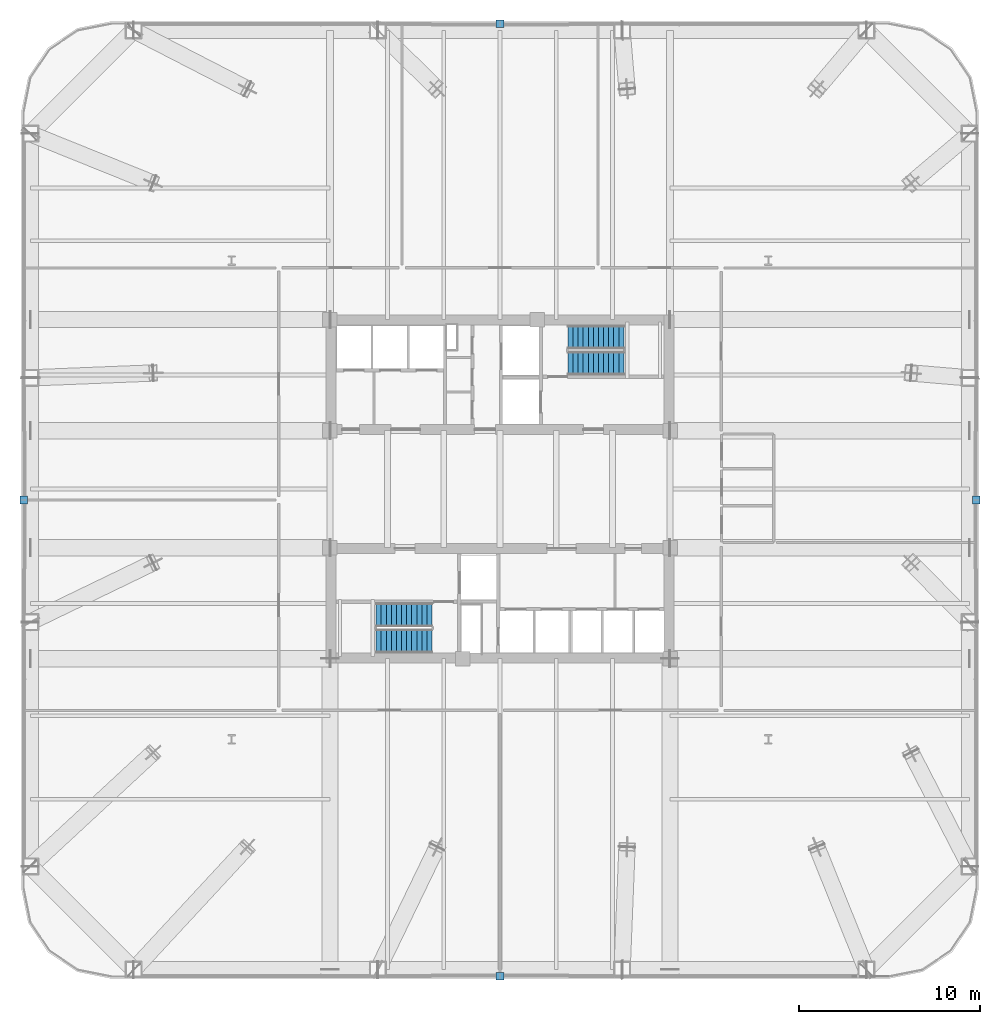
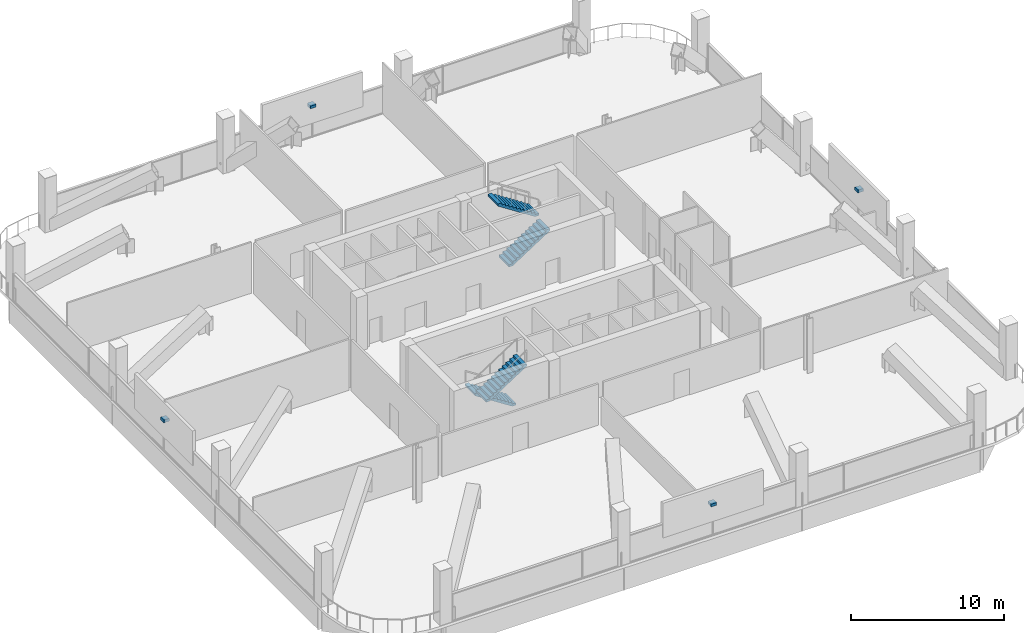
# One storey, part 32 of 38: 4 discrete accessories, 4 stair flights, 2 elements without a shape of their own.
"""IFC4 building model written with IfcOpenShell, lengths in metres."""

from ifc_helpers import new_model, si_unit, direction, frame, origin, origin_2d, place, context, subcontext, project, spatial, polyline, rectangle, outline, extrude, material, type_object, element, aggregate, save


model = new_model("IFC4")

# Units and contexts
model_context = context("Model", 3, precision=1e-05, world=origin(), true_north=direction((0.0, 1.0)))
body_context = subcontext(model_context, "Body", "Model", "MODEL_VIEW")
ifc_project = project(units=[si_unit("LENGTHUNIT", "METRE"), si_unit("AREAUNIT", "SQUARE_METRE"), si_unit("VOLUMEUNIT", "CUBIC_METRE"), si_unit("PLANEANGLEUNIT", "RADIAN"), si_unit("MASSUNIT", "GRAM", prefix="KILO")], contexts=[model_context])

# Site, building, storey
site_placement = place(None, origin())
site = spatial("IfcSite", under=ifc_project, at=site_placement, CompositionType="ELEMENT")
building_placement = place(site_placement, origin())
building = spatial("IfcBuilding", under=site, at=building_placement, Name="Qhalaya Broadcast Tower", CompositionType="ELEMENT")
storey_placement = place(building_placement, frame((0.0, 0.0, 53.550048828125)))
storey = spatial("IfcBuildingStorey", under=building, at=storey_placement, Name="L15", CompositionType="ELEMENT", Elevation=53.550048828125)

# Stair, stair flights
ifc_material_1 = material(Name="Concrete C40/50", Category="concrete")
stair_type = type_object("IfcStairType", Name="Protected Dogleg Core Stair 4200", PredefinedType="TWO_STRAIGHT_RUN_STAIR", material=ifc_material_1)
stair_1_placement = place(storey_placement, origin())
stair_1 = element("IfcStair", 1, at=stair_1_placement, inside=storey, type_object=stair_type, Name="L15 North Core Exit Stair ST-1", PredefinedType="TWO_STRAIGHT_RUN_STAIR")
ifc_material_2 = material(Name="Precast Concrete C40/50", Category="concrete")
stair_flight_type = type_object("IfcStairFlightType", Name="Precast Concrete Stair Flight 4200", PredefinedType="STRAIGHT", material=ifc_material_2)
stair_flight_1_placement = place(storey_placement, frame((3.75, 7.5400390625, 0.0), z_axis=(0.0, 0.0, 1.0), x_axis=(1.0, 0.0, 0.0)))
stair_flight_1 = element("IfcStairFlight", 2, at=stair_flight_1_placement, type_object=stair_flight_type, Name="ST-1 flight 1", NumberOfRisers=12, NumberOfTreads=11, PredefinedType="STRAIGHT", RiserHeight=0.18125, TreadLength=0.28, context=body_context, shape_type="SweptSolid", body=[
    extrude(outline(polyline([(0.0, 0.0), (0.0, 0.18115234375), (0.280029296875, 0.18115234375), (0.280029296875, 0.362548828125), (0.56005859375, 0.362548828125), (0.56005859375, 0.543701171875), (0.840087890625, 0.543701171875), (0.840087890625, 0.72509765625), (1.1201171875, 0.72509765625), (1.1201171875, 0.90625), (1.39990234375, 0.90625), (1.39990234375, 1.08740234375), (1.679931640625, 1.08740234375), (1.679931640625, 1.268798828125), (1.9599609375, 1.268798828125), (1.9599609375, 1.449951171875), (2.239990234375, 1.449951171875), (2.239990234375, 1.63134765625), (2.52001953125, 1.63134765625), (2.52001953125, 1.8125), (2.800048828125, 1.8125), (2.800048828125, 1.99365234375), (3.080078125, 1.99365234375), (3.080078125, 2.175048828125), (3.080078125, 1.815185546875), (0.27587890625, 0.0), (0.0, 0.0)])), frame((0.0, 0.66015625, 0.0), z_axis=(0.0, -1.0, 0.0), x_axis=(1.0, 0.0, 0.0)), (0.0, 0.0, 1.0), 1.320068359375),
])
stair_flight_2_placement = place(storey_placement, frame((6.830078125, 8.97998046875, 2.175048828125), z_axis=(0.0, 0.0, 1.0), x_axis=(-1.0, 0.0, 0.0)))
stair_flight_2 = element("IfcStairFlight", 3, at=stair_flight_2_placement, type_object=stair_flight_type, Name="ST-1 flight 2", NumberOfRisers=12, NumberOfTreads=11, PredefinedType="STRAIGHT", RiserHeight=0.18125, TreadLength=0.28, context=body_context, shape_type="SweptSolid", body=[
    extrude(outline(polyline([(0.0, 0.0), (0.0, 0.18115234375), (0.280029296875, 0.18115234375), (0.280029296875, 0.362548828125), (0.56005859375, 0.362548828125), (0.56005859375, 0.543701171875), (0.840087890625, 0.543701171875), (0.840087890625, 0.72509765625), (1.1201171875, 0.72509765625), (1.1201171875, 0.90625), (1.39990234375, 0.90625), (1.39990234375, 1.08740234375), (1.679931640625, 1.08740234375), (1.679931640625, 1.268798828125), (1.9599609375, 1.268798828125), (1.9599609375, 1.449951171875), (2.239990234375, 1.449951171875), (2.239990234375, 1.63134765625), (2.52001953125, 1.63134765625), (2.52001953125, 1.8125), (2.800048828125, 1.8125), (2.800048828125, 1.99365234375), (3.080078125, 1.99365234375), (3.080078125, 2.175048828125), (3.080078125, 1.815185546875), (0.27587890625, 0.0), (0.0, 0.0)])), frame((0.0, 0.66015625, 0.0), z_axis=(0.0, -1.0, 0.0), x_axis=(1.0, 0.0, 0.0)), (0.0, 0.0, 1.0), 1.320068359375),
])
aggregate(stair_1, [stair_flight_1, stair_flight_2])

stair_2_placement = place(storey_placement, origin())
stair_2 = element("IfcStair", 4, at=stair_2_placement, inside=storey, type_object=stair_type, Name="L15 South Core Exit Stair ST-2", PredefinedType="TWO_STRAIGHT_RUN_STAIR")
stair_flight_3_placement = place(storey_placement, frame((-3.75, -6.340087890625, 0.0), z_axis=(0.0, 0.0, 1.0), x_axis=(-1.0, 0.0, 0.0)))
stair_flight_3 = element("IfcStairFlight", 5, at=stair_flight_3_placement, type_object=stair_flight_type, Name="ST-2 flight 1", NumberOfRisers=12, NumberOfTreads=11, PredefinedType="STRAIGHT", RiserHeight=0.18125, TreadLength=0.28, context=body_context, shape_type="SweptSolid", body=[
    extrude(outline(polyline([(0.0, 0.0), (0.0, 0.18115234375), (0.280029296875, 0.18115234375), (0.280029296875, 0.362548828125), (0.56005859375, 0.362548828125), (0.56005859375, 0.543701171875), (0.840087890625, 0.543701171875), (0.840087890625, 0.72509765625), (1.1201171875, 0.72509765625), (1.1201171875, 0.90625), (1.39990234375, 0.90625), (1.39990234375, 1.08740234375), (1.679931640625, 1.08740234375), (1.679931640625, 1.268798828125), (1.9599609375, 1.268798828125), (1.9599609375, 1.449951171875), (2.239990234375, 1.449951171875), (2.239990234375, 1.63134765625), (2.52001953125, 1.63134765625), (2.52001953125, 1.8125), (2.800048828125, 1.8125), (2.800048828125, 1.99365234375), (3.080078125, 1.99365234375), (3.080078125, 2.175048828125), (3.080078125, 1.815185546875), (0.27587890625, 0.0), (0.0, 0.0)])), frame((0.0, 0.66015625, 0.0), z_axis=(0.0, -1.0, 0.0), x_axis=(1.0, 0.0, 0.0)), (0.0, 0.0, 1.0), 1.320068359375),
])
stair_flight_4_placement = place(storey_placement, frame((-6.830078125, -7.780029296875, 2.175048828125), z_axis=(0.0, 0.0, 1.0), x_axis=(1.0, 0.0, 0.0)))
stair_flight_4 = element("IfcStairFlight", 6, at=stair_flight_4_placement, type_object=stair_flight_type, Name="ST-2 flight 2", NumberOfRisers=12, NumberOfTreads=11, PredefinedType="STRAIGHT", RiserHeight=0.18125, TreadLength=0.28, context=body_context, shape_type="SweptSolid", body=[
    extrude(outline(polyline([(0.0, 0.0), (0.0, 0.18115234375), (0.280029296875, 0.18115234375), (0.280029296875, 0.362548828125), (0.56005859375, 0.362548828125), (0.56005859375, 0.543701171875), (0.840087890625, 0.543701171875), (0.840087890625, 0.72509765625), (1.1201171875, 0.72509765625), (1.1201171875, 0.90625), (1.39990234375, 0.90625), (1.39990234375, 1.08740234375), (1.679931640625, 1.08740234375), (1.679931640625, 1.268798828125), (1.9599609375, 1.268798828125), (1.9599609375, 1.449951171875), (2.239990234375, 1.449951171875), (2.239990234375, 1.63134765625), (2.52001953125, 1.63134765625), (2.52001953125, 1.8125), (2.800048828125, 1.8125), (2.800048828125, 1.99365234375), (3.080078125, 1.99365234375), (3.080078125, 2.175048828125), (3.080078125, 1.815185546875), (0.27587890625, 0.0), (0.0, 0.0)])), frame((0.0, 0.66015625, 0.0), z_axis=(0.0, -1.0, 0.0), x_axis=(1.0, 0.0, 0.0)), (0.0, 0.0, 1.0), 1.320068359375),
])
aggregate(stair_2, [stair_flight_3, stair_flight_4])

# Discrete accessories
ifc_material_3 = material(Name="Structural Steel ASTM A572 Grade 50", Category="steel")
discrete_accessory_type = type_object("IfcDiscreteAccessoryType", Name="Facade Baguette Support Bracket BRK-01", PredefinedType="BRACKET", material=ifc_material_3)
for number, where, z_axis, x_axis, name in (
    (7, (0.0, -26.260009765625, 2.41357421875), (0.0, 0.0, 1.0), (1.0, 0.0, 0.0), "L15 Baguette Support Bracket S"),
    (8, (26.260009765625, 0.0, 2.41357421875), (0.0, 0.0, 1.0), (0.0, 1.0, 0.0), "L15 Baguette Support Bracket E"),
    (9, (0.0, 26.260009765625, 2.41357421875), (0.0, 0.0, 1.0), (-1.0, 0.0, 0.0), "L15 Baguette Support Bracket N"),
    (10, (-26.260009765625, 0.0, 2.41357421875), (0.0, 0.0, 1.0), (0.0, -1.0, 0.0), "L15 Baguette Support Bracket W"),
):
    element("IfcDiscreteAccessory", number, at=place(storey_placement, frame(where, z_axis=z_axis, x_axis=x_axis)), inside=storey, type_object=discrete_accessory_type, Name=name, PredefinedType="BRACKET", context=body_context, shape_type="SweptSolid", body=[
        extrude(rectangle(XDim=0.419921875, YDim=0.419921875, at=origin_2d()), origin(), (0.0, 0.0, 1.0), 0.219970703125),
    ])

save(model, "model.ifc")
